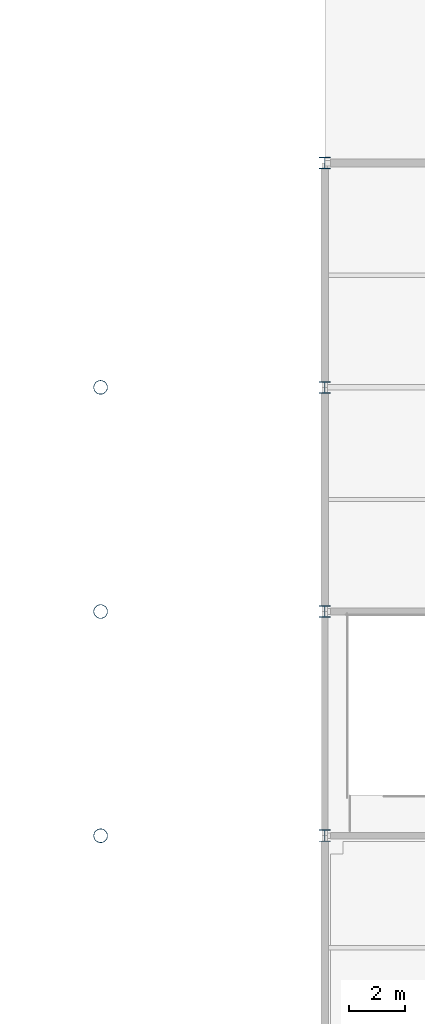
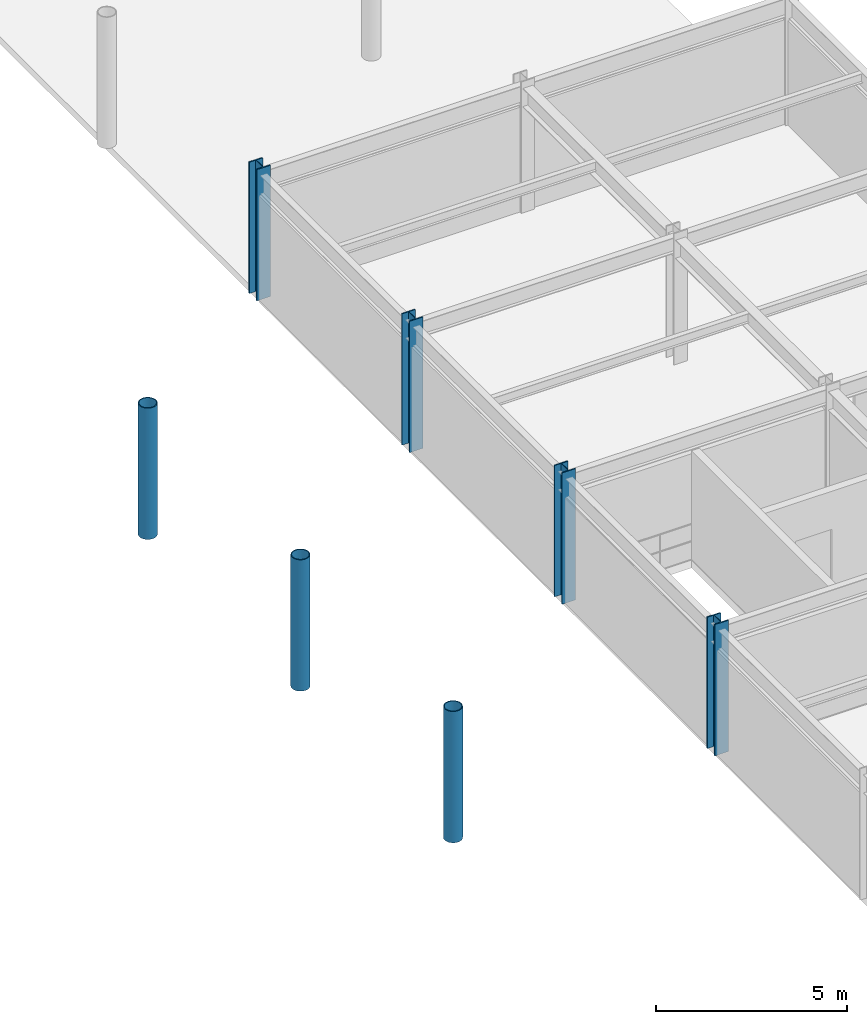
# One storey, part 6 of 54: 7 columns.
"""IFC4 building model written with IfcOpenShell, lengths in metres."""

import ifcopenshell
import ifcopenshell.guid

model = None  # the IFC model being written
_history = None  # IfcOwnerHistory: only IFC2X3 demands one
_inside = {}  # id of a spatial element -> (the spatial element, [elements in it])
_under = {}  # id of a project, library or spatial element -> (it, [spatial elements below it])
_declared = {}  # id of a project -> (the project, [libraries it declares])
_typed = {}  # id of a type object -> (the type object, [elements of that type])
_made_of = {}  # id of a material, layer set ... -> (it, [elements and type objects made of it])


def new_model(schema):
    """Start an empty IFC model of exactly this schema.

    Asked for "IFC4X3", IfcOpenShell would pick the latest addendum, in which some entities
    have other attributes; the version numbers below select the first issue.
    IFC2X3 requires an IfcOwnerHistory on every rooted entity: one is made here for all.
    """
    global model, _history
    if schema == "IFC4X3":
        model = ifcopenshell.file(schema_version=(4, 3, 0, 0))
    else:
        model = ifcopenshell.file(schema=schema)
    _inside.clear()
    _under.clear()
    _declared.clear()
    _typed.clear()
    _made_of.clear()
    _history = None
    if model.schema == "IFC2X3":
        org = make("IfcOrganization", Name="unknown")
        user = make(
            "IfcPersonAndOrganization",
            ThePerson=make("IfcPerson", FamilyName="unknown"),
            TheOrganization=org,
        )
        app = make(
            "IfcApplication",
            ApplicationDeveloper=org,
            Version="unknown",
            ApplicationFullName="unknown",
            ApplicationIdentifier="unknown",
        )
        _history = make(
            "IfcOwnerHistory",
            OwningUser=user,
            OwningApplication=app,
            ChangeAction="ADDED",
            CreationDate=0,
        )
    return model


def make(cls, **values):
    """One entity of the class cls with the attributes given. An attribute that is None is left unset."""
    return model.create_entity(
        cls, **{name: value for name, value in values.items() if value is not None}
    )


def rooted(cls, **values):
    """An entity with a GlobalId (a new one), such as an element, a storey or a relation."""
    return make(cls, GlobalId=ifcopenshell.guid.new(), OwnerHistory=_history, **values)


def si_unit(unit_type, name, prefix=None):
    """IfcSIUnit, for example si_unit("LENGTHUNIT", "METRE", prefix="MILLI")."""
    return make("IfcSIUnit", UnitType=unit_type, Prefix=prefix, Name=name)


def assignment(units):
    """IfcUnitAssignment: the units of a project."""
    return None if units is None else make("IfcUnitAssignment", Units=units)


def point(xyz):
    """IfcCartesianPoint."""
    return None if xyz is None else make("IfcCartesianPoint", Coordinates=xyz)


def direction(xyz):
    """IfcDirection."""
    return None if xyz is None else make("IfcDirection", DirectionRatios=xyz)


def frame(location, z_axis=None, x_axis=None):
    """IfcAxis2Placement3D, a coordinate frame: its origin and axes. An axis left out is left unset."""
    return make(
        "IfcAxis2Placement3D",
        Location=point(location),
        Axis=direction(z_axis),
        RefDirection=direction(x_axis),
    )


def frame_2d(location, x_axis=None):
    """IfcAxis2Placement2D, a coordinate frame in the plane: its origin and x axis."""
    return make(
        "IfcAxis2Placement2D", Location=point(location), RefDirection=direction(x_axis)
    )


def origin():
    """The frame at (0, 0, 0) with its axes left unset."""
    return frame((0.0, 0.0, 0.0))


def origin_2d():
    """The frame at (0, 0) in the plane with its x axis left unset."""
    return frame_2d((0.0, 0.0))


def place(relative_to, where):
    """IfcLocalPlacement: puts the frame where relative to a parent placement (None: the world)."""
    return make(
        "IfcLocalPlacement", PlacementRelTo=relative_to, RelativePlacement=where
    )


def context(
    kind, dimensions, precision=None, world=None, true_north=None, identifier=None
):
    """IfcGeometricRepresentationContext, for example the 3D "Model" context."""
    return make(
        "IfcGeometricRepresentationContext",
        ContextIdentifier=identifier,
        ContextType=kind,
        CoordinateSpaceDimension=dimensions,
        Precision=precision,
        WorldCoordinateSystem=world,
        TrueNorth=true_north,
    )


def subcontext(parent, identifier, kind, view, scale=None):
    """IfcGeometricRepresentationSubContext, for example "Body" below "Model"."""
    return make(
        "IfcGeometricRepresentationSubContext",
        ContextIdentifier=identifier,
        ContextType=kind,
        ParentContext=parent,
        TargetScale=scale,
        TargetView=view,
    )


def project(units=None, contexts=None):
    """IfcProject with its units and contexts."""
    return rooted(
        "IfcProject",
        Name="project",
        RepresentationContexts=contexts,
        UnitsInContext=assignment(units),
    )


def spatial(cls, under=None, at=None, **own):
    """A site, building, storey or space (cls), placed at a placement, below another one or the project."""
    s = rooted(cls, ObjectPlacement=at, **own)
    if under is not None:
        _under.setdefault(under.id(), (under, []))[1].append(s)
    return s


def profile(cls, at=None, kind="AREA", **sizes):
    """A parametric profile (cls). Its sizes go by their IFC names, for example OverallWidth=200.0."""
    return make(cls, ProfileType=kind, Position=at, **sizes)


def hollow_circle(**sizes):
    """IfcCircleHollowProfileDef."""
    return profile("IfcCircleHollowProfileDef", **sizes)


def i_section(**sizes):
    """IfcIShapeProfileDef."""
    return profile("IfcIShapeProfileDef", **sizes)


def extrude(swept, where, along, depth):
    """IfcExtrudedAreaSolid: the profile swept, set in the frame where, extruded along a direction by depth."""
    return make(
        "IfcExtrudedAreaSolid",
        SweptArea=swept,
        Position=where,
        ExtrudedDirection=direction(along),
        Depth=depth,
    )


def shape(context_of_items, identifier, shape_type, items):
    """IfcShapeRepresentation: the items that make up one representation, for example the "Body"."""
    return make(
        "IfcShapeRepresentation",
        ContextOfItems=context_of_items,
        RepresentationIdentifier=identifier,
        RepresentationType=shape_type,
        Items=items,
    )


def material(Name=None, Category=None):
    """IfcMaterial."""
    return make("IfcMaterial", Name=Name, Category=Category)


def material_profile(
    of_material, cross_section, Name=None, Category=None, Priority=None
):
    """IfcMaterialProfile: a cross section and its material."""
    return make(
        "IfcMaterialProfile",
        Name=Name,
        Material=of_material,
        Profile=cross_section,
        Priority=Priority,
        Category=Category,
    )


def profile_set(profiles, Name=None, composite=None):
    """IfcMaterialProfileSet."""
    return make(
        "IfcMaterialProfileSet",
        Name=Name,
        MaterialProfiles=profiles,
        CompositeProfile=composite,
    )


def made_of(thing, what):
    """Note that an element or type object is made of a material, layer set ...; save() writes the relation."""
    if what is not None:
        _made_of.setdefault(what.id(), (what, []))[1].append(thing)
    return thing


def type_object(cls, material=None, **own):
    """A type object (cls), such as IfcWallType, which elements share."""
    return made_of(rooted(cls, **own), material)


def element(
    cls,
    number,
    at=None,
    inside=None,
    cuts=None,
    type_object=None,
    material=None,
    context=None,
    identifier="Body",
    shape_type=None,
    held_by="IfcProductDefinitionShape",
    body=None,
    shapes=None,
    **own,
):
    """One element of the class cls, such as IfcWall. Its Tag is "e" and its number.

    at: its placement. inside: the storey or other place that contains it. cuts: it is an
    opening in that element (IfcRelVoidsElement). A single representation is given by context,
    identifier, shape_type and body (its items); several are given by shapes. held_by: the class
    of the entity that holds the representations. save() writes the other relations.
    """
    e = rooted(cls, Tag="e%d" % number, ObjectPlacement=at, **own)
    if body is not None:
        shapes = [shape(context, identifier, shape_type, body)]
    if shapes is not None:
        e.Representation = make(held_by, Representations=shapes)
    if inside is not None:
        _inside.setdefault(inside.id(), (inside, []))[1].append(e)
    if cuts is not None:
        rooted(
            "IfcRelVoidsElement", RelatingBuildingElement=cuts, RelatedOpeningElement=e
        )
    if type_object is not None:
        _typed.setdefault(type_object.id(), (type_object, []))[1].append(e)
    return made_of(e, material)


def aggregate(whole, parts):
    """IfcRelAggregates: a whole, such as a stair, and the parts it consists of."""
    return rooted("IfcRelAggregates", RelatingObject=whole, RelatedObjects=parts)


def save(model, path):
    """Write the relations noted so far, then the file.

    IfcRelAggregates (storeys below a building ...), IfcRelContainedInSpatialStructure (elements
    in a storey), IfcRelDefinesByType, IfcRelAssociatesMaterial and IfcRelDeclares: one each for
    every whole, place, type object, material and project.
    """
    for whole, parts in _under.values():
        aggregate(whole, parts)
    for where, things in _inside.values():
        rooted(
            "IfcRelContainedInSpatialStructure",
            RelatedElements=things,
            RelatingStructure=where,
        )
    for kind, things in _typed.values():
        rooted("IfcRelDefinesByType", RelatedObjects=things, RelatingType=kind)
    for what, things in _made_of.values():
        rooted("IfcRelAssociatesMaterial", RelatedObjects=things, RelatingMaterial=what)
    for by, libraries in _declared.values():
        rooted("IfcRelDeclares", RelatingContext=by, RelatedDefinitions=libraries)
    model.write(path)


model = new_model("IFC4")

# Units and contexts
model_context = context("Model", 3, precision=1e-05, world=origin(), true_north=direction((0.0, 1.0)))
body_context = subcontext(model_context, "Body", "Model", "MODEL_VIEW")
ifc_project = project(units=[si_unit("LENGTHUNIT", "METRE"), si_unit("AREAUNIT", "SQUARE_METRE"), si_unit("VOLUMEUNIT", "CUBIC_METRE"), si_unit("PLANEANGLEUNIT", "RADIAN"), si_unit("MASSUNIT", "GRAM", prefix="KILO")], contexts=[model_context])

# Site, building, storey
site_placement = place(None, origin())
site = spatial("IfcSite", under=ifc_project, at=site_placement, CompositionType="ELEMENT")
building_placement = place(site_placement, origin())
building = spatial("IfcBuilding", under=site, at=building_placement, Name="Haebicheon Civic Stadium", CompositionType="ELEMENT")
storey_placement = place(building_placement, frame((0.0, 0.0, 22.800048828125)))
storey = spatial("IfcBuildingStorey", under=building, at=storey_placement, Name="L06", CompositionType="ELEMENT", Elevation=22.800048828125)

# Columns
ifc_material_1 = material(Name="White painted steel SM490", Category="steel")
ifc_material_profile_1 = material_profile(ifc_material_1, hollow_circle(Radius=0.25390625, WallThickness=0.02490234375, at=origin_2d()), Name="CHS-508.0x25.0")
ifc_profile_set_1 = profile_set([ifc_material_profile_1], Name="White painted steel SM490")
column_type_1 = type_object("IfcColumnType", Name="COL-ST-CHS508", PredefinedType="COLUMN", material=ifc_profile_set_1)
for number, where, z_axis, x_axis, name in (
    (1, (136.0, 104.0, 0.0), (0.0, 0.0, 1.0), (1.0, 0.0, 0.0), "Bowl/canopy support column 136/104 (L06)"),
    (2, (136.0, 112.0, 0.0), (0.0, 0.0, 1.0), (1.0, 0.0, 0.0), "Bowl/canopy support column 136/112 (L06)"),
    (3, (136.0, 120.0, 0.0), (0.0, 0.0, 1.0), (1.0, 0.0, 0.0), "Bowl/canopy support column 136/120 (L06)"),
):
    element("IfcColumn", number, at=place(storey_placement, frame(where, z_axis=z_axis, x_axis=x_axis)), inside=storey, type_object=column_type_1, material=ifc_profile_set_1, Name=name, PredefinedType="COLUMN", context=body_context, shape_type="SweptSolid", body=[
        extrude(hollow_circle(Radius=0.25390625, WallThickness=0.02490234375, at=origin_2d()), origin(), (0.0, 0.0, 1.0), 4.199951171875),
    ])
ifc_material_2 = material(Name="Steel SM490", Category="steel")
ifc_material_profile_2 = material_profile(ifc_material_2, i_section(OverallWidth=0.406982421875, OverallDepth=0.427978515625, WebThickness=0.02001953125, FlangeThickness=0.034912109375, at=origin_2d()), Name="H-428x407x20x35")
ifc_profile_set_2 = profile_set([ifc_material_profile_2], Name="Steel SM490")
column_type_2 = type_object("IfcColumnType", Name="COL-ST-H428", PredefinedType="COLUMN", material=ifc_profile_set_2)
for number, where, z_axis, x_axis, name in (
    (4, (144.0, 104.0, 0.0), (0.0, 0.0, 1.0), (1.0, 0.0, 0.0), "L06 column 19/P"),
    (5, (144.0, 112.0, 0.0), (0.0, 0.0, 1.0), (1.0, 0.0, 0.0), "L06 column 19/Q"),
    (6, (144.0, 120.0, 0.0), (0.0, 0.0, 1.0), (1.0, 0.0, 0.0), "L06 column 19/R"),
    (7, (144.0, 128.0, 0.0), (0.0, 0.0, 1.0), (1.0, 0.0, 0.0), "L06 column 19/S"),
):
    element("IfcColumn", number, at=place(storey_placement, frame(where, z_axis=z_axis, x_axis=x_axis)), inside=storey, type_object=column_type_2, material=ifc_profile_set_2, Name=name, PredefinedType="COLUMN", context=body_context, shape_type="SweptSolid", body=[
        extrude(i_section(OverallWidth=0.406982421875, OverallDepth=0.427978515625, WebThickness=0.02001953125, FlangeThickness=0.034912109375, at=origin_2d()), origin(), (0.0, 0.0, 1.0), 4.199951171875),
    ])

save(model, "model.ifc")
